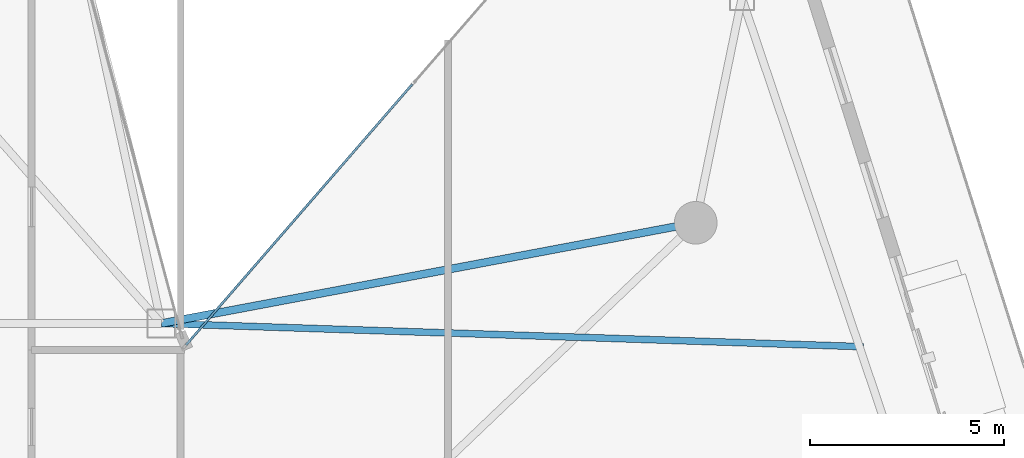
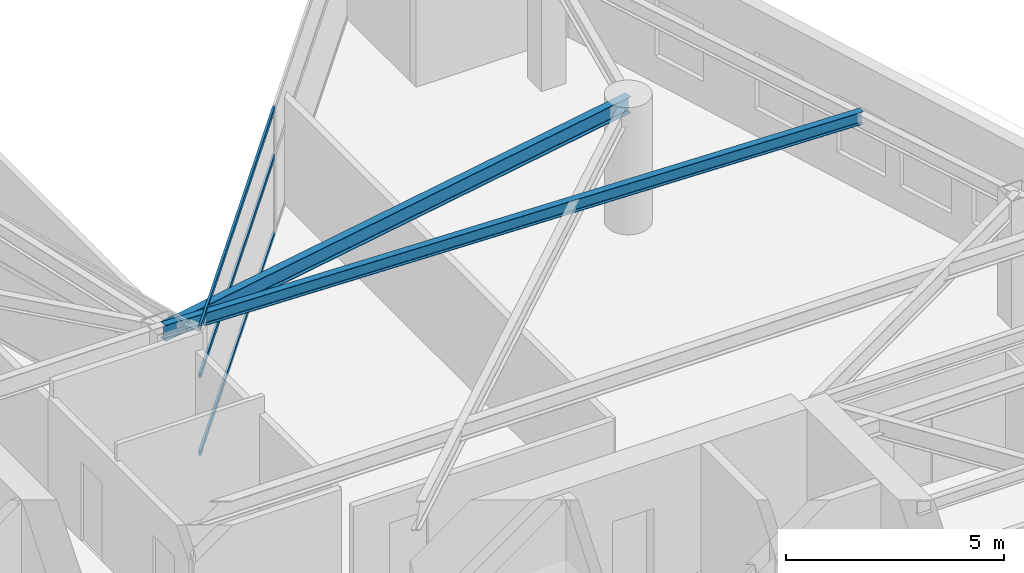
# One storey, part 11 of 28: 3 members, 2 beams, 1 element without a shape of its own.
"""IFC4 building model written with IfcOpenShell, lengths in metres."""

from ifc_helpers import new_model, si_unit, direction, frame, origin, origin_2d, place, context, subcontext, project, spatial, hollow_rectangle, i_section, extrude, material, layer, layer_set, material_profile, profile_set, type_object, element, aggregate, save


model = new_model("IFC4")

# Units and contexts
model_context = context("Model", 3, precision=1e-05, world=origin(), true_north=direction((0.0, 1.0)))
body_context = subcontext(model_context, "Body", "Model", "MODEL_VIEW")
ifc_project = project(units=[si_unit("LENGTHUNIT", "METRE"), si_unit("AREAUNIT", "SQUARE_METRE"), si_unit("VOLUMEUNIT", "CUBIC_METRE"), si_unit("PLANEANGLEUNIT", "RADIAN"), si_unit("MASSUNIT", "GRAM", prefix="KILO")], contexts=[model_context])

# Site, building, storey
site_placement = place(None, origin())
site = spatial("IfcSite", under=ifc_project, at=site_placement, CompositionType="ELEMENT")
building_placement = place(site_placement, origin())
building = spatial("IfcBuilding", under=site, at=building_placement, Name="Calvorn Quay Hotel", CompositionType="ELEMENT")
storey_placement = place(building_placement, frame((0.0, 0.0, 243.800048828125)))
storey = spatial("IfcBuildingStorey", under=building, at=storey_placement, Name="L60", CompositionType="ELEMENT", Elevation=243.800048828125)

# Beams
ifc_material_1 = material(Name="Steel Q355B", Category="steel")
ifc_material_profile_1 = material_profile(ifc_material_1, i_section(OverallWidth=0.175048828125, OverallDepth=0.35009765625, WebThickness=0.007080078125, FlangeThickness=0.010986328125, FilletRadius=0.013916015625, at=origin_2d()), Name="HN350x175x7x11")
ifc_profile_set_1 = profile_set([ifc_material_profile_1], Name="Steel Q355B")
beam_type_1 = type_object("IfcBeamType", Name="BM-JOIST-SEC", PredefinedType="JOIST", material=ifc_profile_set_1)
beam_1_placement = place(storey_placement, frame((21.0, 25.0, 3.364990234375), z_axis=(0.999452470599, -0.033087142721, 0.0), x_axis=(0.033087142721, 0.999452470599, 0.0)))
element("IfcBeam", 1, at=beam_1_placement, inside=storey, type_object=beam_type_1, Name="Beam BJ-L60-E3", PredefinedType="JOIST", context=body_context, shape_type="SweptSolid", body=[
    extrude(i_section(OverallWidth=0.175048828125, OverallDepth=0.35009765625, WebThickness=0.007080078125, FlangeThickness=0.010986328125, FilletRadius=0.013916015625, at=origin_2d()), origin(), (0.0, 0.0, 1.0), 18.136962890625),
])
ifc_material_2 = material(Name="Steel Q355B", Category="steel")
ifc_material_profile_2 = material_profile(ifc_material_2, i_section(OverallWidth=0.199951171875, OverallDepth=0.449951171875, WebThickness=0.009033203125, FlangeThickness=0.013916015625, FilletRadius=0.01611328125, at=origin_2d()), Name="HN450x200x9x14")
ifc_profile_set_2 = profile_set([ifc_material_profile_2], Name="Steel Q355B")
beam_type_2 = type_object("IfcBeamType", Name="BM-SPANDREL-Z3", PredefinedType="SPANDREL", material=ifc_profile_set_2)
beam_2_placement = place(storey_placement, frame((34.800048828125, 27.60009765625, 3.31494140625), z_axis=(-0.982709432406, -0.185154452988, 0.0), x_axis=(0.185154452988, -0.982709432406, 0.0)))
element("IfcBeam", 2, at=beam_2_placement, inside=storey, type_object=beam_type_2, Name="Beam BSP-L60-E4", PredefinedType="SPANDREL", context=body_context, shape_type="SweptSolid", body=[
    extrude(i_section(OverallWidth=0.199951171875, OverallDepth=0.449951171875, WebThickness=0.009033203125, FlangeThickness=0.013916015625, FilletRadius=0.01611328125, at=origin_2d()), origin(), (0.0, 0.0, 1.0), 14.04296875),
])

# Curtain wall, members
ifc_material_3 = material(Name="Champagne Bronze Anodised Aluminium and Low-E Glass", Category="aluminium")
ifc_layer = layer(ifc_material_3, 0.219970703125)
ifc_layer_set = layer_set([ifc_layer], Name="CW-SYS-Z3")
curtain_wall_type = type_object("IfcCurtainWallType", Name="CW-SYS-Z3", PredefinedType="NOTDEFINED", material=ifc_layer_set)
curtain_wall_placement = place(storey_placement, origin())
curtain_wall = element("IfcCurtainWall", 3, at=curtain_wall_placement, inside=storey, type_object=curtain_wall_type, Name="Inner Court Curtain Wall L60-NE1", PredefinedType="NOTDEFINED")
ifc_material_4 = material(Name="Champagne Bronze Anodised Aluminium 6063-T6", Category="aluminium")
ifc_material_profile_3 = material_profile(ifc_material_4, hollow_rectangle(XDim=0.05810546875, YDim=0.139892578125, WallThickness=0.003173828125, at=origin_2d()), Name="ALU-T140x58x3.2")
ifc_profile_set_3 = profile_set([ifc_material_profile_3], Name="Champagne Bronze Anodised Aluminium 6063-T6")
member_type = type_object("IfcMemberType", Name="CW-SYS-Z3-TRN", PredefinedType="USERDEFINED", material=ifc_profile_set_3)
member_1_placement = place(storey_placement, frame((27.480224609375, 31.17724609375, 0.030029296875), z_axis=(-0.65534550322, -0.755329247024, 0.0), x_axis=(0.755329247024, -0.65534550322, 0.0)))
member_1 = element("IfcMember", 4, at=member_1_placement, type_object=member_type, Name="CW-L60-NE1 transom 2.1", ObjectType="TRANSOM", PredefinedType="USERDEFINED", context=body_context, shape_type="SweptSolid", body=[
    extrude(hollow_rectangle(XDim=0.05810546875, YDim=0.139892578125, WallThickness=0.003173828125, at=origin_2d()), origin(), (0.0, 0.0, 1.0), 8.91259765625),
])
member_2_placement = place(storey_placement, frame((27.480224609375, 31.17724609375, 2.199951171875), z_axis=(-0.65534550322, -0.755329247024, 0.0), x_axis=(0.755329247024, -0.65534550322, 0.0)))
member_2 = element("IfcMember", 5, at=member_2_placement, type_object=member_type, Name="CW-L60-NE1 transom 2.2", ObjectType="TRANSOM", PredefinedType="USERDEFINED", context=body_context, shape_type="SweptSolid", body=[
    extrude(hollow_rectangle(XDim=0.05810546875, YDim=0.139892578125, WallThickness=0.003173828125, at=origin_2d()), origin(), (0.0, 0.0, 1.0), 8.91259765625),
])
member_3_placement = place(storey_placement, frame((27.480224609375, 31.17724609375, 3.530029296875), z_axis=(-0.65534550322, -0.755329247024, 0.0), x_axis=(0.755329247024, -0.65534550322, 0.0)))
member_3 = element("IfcMember", 6, at=member_3_placement, type_object=member_type, Name="CW-L60-NE1 transom 2.3", ObjectType="TRANSOM", PredefinedType="USERDEFINED", context=body_context, shape_type="SweptSolid", body=[
    extrude(hollow_rectangle(XDim=0.05810546875, YDim=0.139892578125, WallThickness=0.003173828125, at=origin_2d()), origin(), (0.0, 0.0, 1.0), 8.91259765625),
])
aggregate(curtain_wall, [member_1, member_2, member_3])

save(model, "model.ifc")
